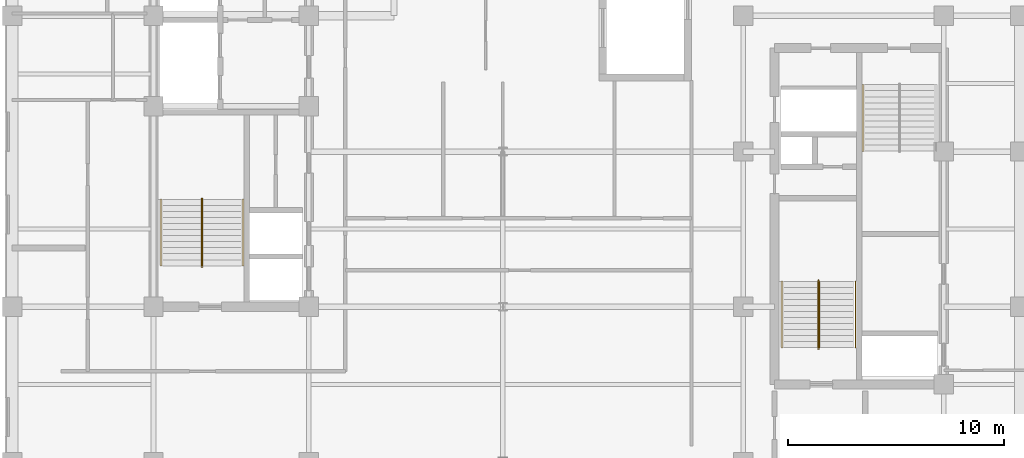
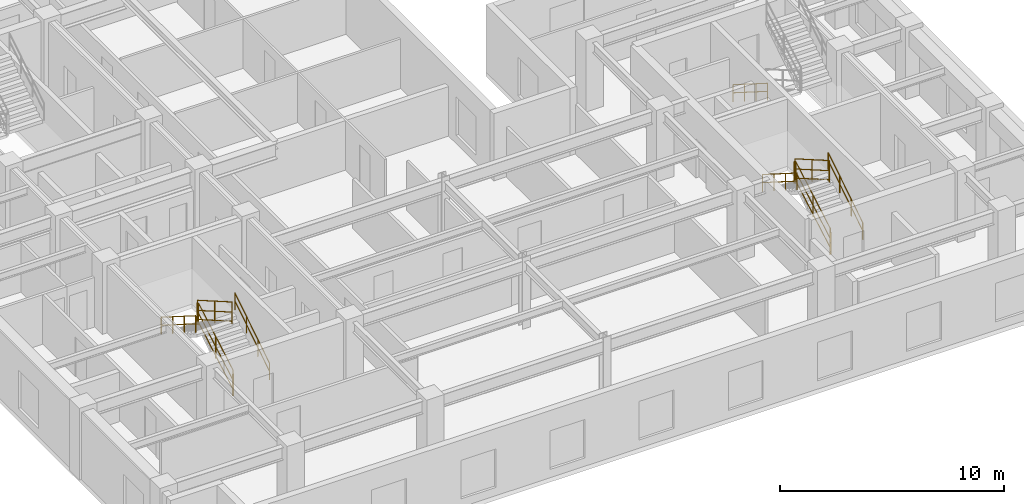
# One storey, part 8 of 10: 13 railings.
"""IFC4 building model written with IfcOpenShell, lengths in metres."""

from ifc_helpers import new_model, entity, si_unit, converted_unit, direction, frame, origin_with_axes, origin_2d_with_axis, place, context, subcontext, project, spatial, rectangle, circle, extrude, material, type_object, element, save


model = new_model("IFC4")

# Units and contexts
model_context = context("Model", 3, precision=1e-05, world=origin_with_axes(), true_north=direction((0.0, 1.0)))
body_context = subcontext(model_context, "Body", "Model", "MODEL_VIEW")
ifc_project = project(units=[si_unit("LENGTHUNIT", "METRE"), si_unit("AREAUNIT", "SQUARE_METRE"), si_unit("VOLUMEUNIT", "CUBIC_METRE"), converted_unit("PLANEANGLEUNIT", "DEGREE", entity("IfcPlaneAngleMeasure", 0.017453292519943295), si_unit("PLANEANGLEUNIT", "RADIAN"), dimensions=[0, 0, 0, 0, 0, 0, 0]), si_unit("MASSUNIT", "GRAM", prefix="KILO"), si_unit("THERMODYNAMICTEMPERATUREUNIT", "KELVIN")], contexts=[model_context])

# Site, building, storey
site_placement = place(None, origin_with_axes())
site = spatial("IfcSite", under=ifc_project, at=site_placement, CompositionType="ELEMENT")
building_placement = place(site_placement, origin_with_axes())
building = spatial("IfcBuilding", under=site, at=building_placement, Name="Varnlund Millrace Tower", CompositionType="ELEMENT")
storey_placement = place(building_placement, frame((0.0, 0.0, 240.3), z_axis=(0.0, 0.0, 1.0), x_axis=(1.0, 0.0, 0.0)))
storey = spatial("IfcBuildingStorey", under=building, at=storey_placement, Name="L59", CompositionType="ELEMENT", Elevation=240.3)

# Railings
ifc_material_1 = material(Name="Painted steel stair well balustrade guard", Category="steel")
railing_type_1 = type_object("IfcRailingType", Name="Type-StairGuard-1150", PredefinedType="GUARDRAIL", material=ifc_material_1)
railing_1_placement = place(storey_placement, frame((0.0, 0.0, -240.3), z_axis=(0.0, 0.0, 1.0), x_axis=(1.0, 0.0, 0.0)))
element("IfcRailing", 1, at=railing_1_placement, inside=storey, type_object=railing_type_1, Name="Type-StairGuard-1150", PredefinedType="GUARDRAIL", context=body_context, shape_type="SweptSolid", body=[
    extrude(circle(Radius=0.024, at=origin_2d_with_axis()), frame((13.675, 12.7, 241.627273), z_axis=(0.0, 0.866696, 0.498836), x_axis=(-1.0, 0.0, 0.0)), (0.0, 0.0, 1.0), 3.553725),
    extrude(circle(Radius=0.024, at=origin_2d_with_axis()), frame((13.675, 12.7, 240.577273), z_axis=(0.0, 0.866696, 0.498836), x_axis=(-1.0, 0.0, 0.0)), (0.0, 0.0, 1.0), 3.553725),
    extrude(circle(Radius=0.024, at=origin_2d_with_axis()), frame((13.675, 12.7, 241.075273), z_axis=(0.0, 0.866696, 0.498836), x_axis=(-1.0, 0.0, 0.0)), (0.0, 0.0, 1.0), 3.553725),
    extrude(rectangle(XDim=0.04, YDim=0.04, at=origin_2d_with_axis()), frame((13.675, 12.7, 240.437273), z_axis=(0.0, 0.0, 1.0), x_axis=(1.0, 0.0, 0.0)), (0.0, 0.0, 1.0), 1.19),
    extrude(rectangle(XDim=0.04, YDim=0.04, at=origin_2d_with_axis()), frame((13.675, 14.24, 241.323636), z_axis=(0.0, 0.0, 1.0), x_axis=(1.0, 0.0, 0.0)), (0.0, 0.0, 1.0), 1.19),
    extrude(rectangle(XDim=0.04, YDim=0.04, at=origin_2d_with_axis()), frame((13.675, 15.78, 242.21), z_axis=(0.0, 0.0, 1.0), x_axis=(1.0, 0.0, 0.0)), (0.0, 0.0, 1.0), 1.19),
])
railing_2_placement = place(storey_placement, frame((0.0, 0.0, -240.3), z_axis=(0.0, 0.0, 1.0), x_axis=(1.0, 0.0, 0.0)))
element("IfcRailing", 2, at=railing_2_placement, inside=storey, type_object=railing_type_1, Name="Type-StairGuard-1150", PredefinedType="GUARDRAIL", context=body_context, shape_type="SweptSolid", body=[
    extrude(circle(Radius=0.024, at=origin_2d_with_axis()), frame((13.625, 15.83, 243.4), z_axis=(1.0, 0.0, 0.0), x_axis=(0.0, 1.0, 0.0)), (0.0, 0.0, 1.0), 0.05),
    extrude(circle(Radius=0.024, at=origin_2d_with_axis()), frame((13.625, 15.83, 242.35), z_axis=(1.0, 0.0, 0.0), x_axis=(0.0, 1.0, 0.0)), (0.0, 0.0, 1.0), 0.05),
    extrude(circle(Radius=0.024, at=origin_2d_with_axis()), frame((13.625, 15.83, 242.848), z_axis=(1.0, 0.0, 0.0), x_axis=(0.0, 1.0, 0.0)), (0.0, 0.0, 1.0), 0.05),
    extrude(rectangle(XDim=0.04, YDim=0.04, at=origin_2d_with_axis()), frame((13.625, 15.83, 242.21), z_axis=(0.0, 0.0, 1.0), x_axis=(1.0, 0.0, 0.0)), (0.0, 0.0, 1.0), 1.19),
    extrude(rectangle(XDim=0.04, YDim=0.04, at=origin_2d_with_axis()), frame((13.675, 15.83, 242.21), z_axis=(0.0, 0.0, 1.0), x_axis=(1.0, 0.0, 0.0)), (0.0, 0.0, 1.0), 1.19),
])
railing_3_placement = place(storey_placement, frame((0.0, 0.0, -240.3), z_axis=(0.0, 0.0, 1.0), x_axis=(1.0, 0.0, 0.0)))
element("IfcRailing", 3, at=railing_3_placement, inside=storey, type_object=railing_type_1, Name="Type-StairGuard-1150", PredefinedType="GUARDRAIL", context=body_context, shape_type="SweptSolid", body=[
    extrude(circle(Radius=0.024, at=origin_2d_with_axis()), frame((13.625, 15.78, 243.577273), z_axis=(0.0, -0.866696, 0.498836), x_axis=(1.0, 0.0, 0.0)), (0.0, 0.0, 1.0), 3.553725),
    extrude(circle(Radius=0.024, at=origin_2d_with_axis()), frame((13.625, 15.78, 242.527273), z_axis=(0.0, -0.866696, 0.498836), x_axis=(1.0, 0.0, 0.0)), (0.0, 0.0, 1.0), 3.553725),
    extrude(circle(Radius=0.024, at=origin_2d_with_axis()), frame((13.625, 15.78, 243.025273), z_axis=(0.0, -0.866696, 0.498836), x_axis=(1.0, 0.0, 0.0)), (0.0, 0.0, 1.0), 3.553725),
    extrude(rectangle(XDim=0.04, YDim=0.04, at=origin_2d_with_axis()), frame((13.625, 15.78, 242.387273), z_axis=(0.0, 0.0, 1.0), x_axis=(1.0, 0.0, 0.0)), (0.0, 0.0, 1.0), 1.19),
    extrude(rectangle(XDim=0.04, YDim=0.04, at=origin_2d_with_axis()), frame((13.625, 14.24, 243.273637), z_axis=(0.0, 0.0, 1.0), x_axis=(1.0, 0.0, 0.0)), (0.0, 0.0, 1.0), 1.19),
    extrude(rectangle(XDim=0.04, YDim=0.04, at=origin_2d_with_axis()), frame((13.625, 12.7, 244.16), z_axis=(0.0, 0.0, 1.0), x_axis=(1.0, 0.0, 0.0)), (0.0, 0.0, 1.0), 1.19),
])
railing_4_placement = place(storey_placement, frame((0.0, 0.0, -240.3), z_axis=(0.0, 0.0, 1.0), x_axis=(1.0, 0.0, 0.0)))
element("IfcRailing", 4, at=railing_4_placement, inside=storey, type_object=railing_type_1, Name="Type-StairGuard-1150", PredefinedType="GUARDRAIL", context=body_context, shape_type="SweptSolid", body=[
    extrude(circle(Radius=0.024, at=origin_2d_with_axis()), frame((13.625, 12.65, 241.45), z_axis=(1.0, 0.0, 0.0), x_axis=(0.0, 1.0, 0.0)), (0.0, 0.0, 1.0), 0.05),
    extrude(circle(Radius=0.024, at=origin_2d_with_axis()), frame((13.625, 12.65, 240.4), z_axis=(1.0, 0.0, 0.0), x_axis=(0.0, 1.0, 0.0)), (0.0, 0.0, 1.0), 0.05),
    extrude(circle(Radius=0.024, at=origin_2d_with_axis()), frame((13.625, 12.65, 240.898), z_axis=(1.0, 0.0, 0.0), x_axis=(0.0, 1.0, 0.0)), (0.0, 0.0, 1.0), 0.05),
    extrude(rectangle(XDim=0.04, YDim=0.04, at=origin_2d_with_axis()), frame((13.625, 12.65, 240.26), z_axis=(0.0, 0.0, 1.0), x_axis=(1.0, 0.0, 0.0)), (0.0, 0.0, 1.0), 1.19),
    extrude(rectangle(XDim=0.04, YDim=0.04, at=origin_2d_with_axis()), frame((13.675, 12.65, 240.26), z_axis=(0.0, 0.0, 1.0), x_axis=(1.0, 0.0, 0.0)), (0.0, 0.0, 1.0), 1.19),
])
railing_5_placement = place(storey_placement, frame((0.0, 0.0, -240.3), z_axis=(0.0, 0.0, 1.0), x_axis=(1.0, 0.0, 0.0)))
element("IfcRailing", 5, at=railing_5_placement, inside=storey, type_object=railing_type_1, Name="Type-StairGuard-1150", PredefinedType="GUARDRAIL", context=body_context, shape_type="SweptSolid", body=[
    extrude(circle(Radius=0.024, at=origin_2d_with_axis()), frame((42.275, 8.9, 241.627273), z_axis=(0.0, 0.866696, 0.498836), x_axis=(-1.0, 0.0, 0.0)), (0.0, 0.0, 1.0), 3.553725),
    extrude(circle(Radius=0.024, at=origin_2d_with_axis()), frame((42.275, 8.9, 240.577273), z_axis=(0.0, 0.866696, 0.498836), x_axis=(-1.0, 0.0, 0.0)), (0.0, 0.0, 1.0), 3.553725),
    extrude(circle(Radius=0.024, at=origin_2d_with_axis()), frame((42.275, 8.9, 241.075273), z_axis=(0.0, 0.866696, 0.498836), x_axis=(-1.0, 0.0, 0.0)), (0.0, 0.0, 1.0), 3.553725),
    extrude(rectangle(XDim=0.04, YDim=0.04, at=origin_2d_with_axis()), frame((42.275, 8.9, 240.437273), z_axis=(0.0, 0.0, 1.0), x_axis=(1.0, 0.0, 0.0)), (0.0, 0.0, 1.0), 1.19),
    extrude(rectangle(XDim=0.04, YDim=0.04, at=origin_2d_with_axis()), frame((42.275, 10.44, 241.323636), z_axis=(0.0, 0.0, 1.0), x_axis=(1.0, 0.0, 0.0)), (0.0, 0.0, 1.0), 1.19),
    extrude(rectangle(XDim=0.04, YDim=0.04, at=origin_2d_with_axis()), frame((42.275, 11.98, 242.21), z_axis=(0.0, 0.0, 1.0), x_axis=(1.0, 0.0, 0.0)), (0.0, 0.0, 1.0), 1.19),
])
railing_6_placement = place(storey_placement, frame((0.0, 0.0, -240.3), z_axis=(0.0, 0.0, 1.0), x_axis=(1.0, 0.0, 0.0)))
element("IfcRailing", 6, at=railing_6_placement, inside=storey, type_object=railing_type_1, Name="Type-StairGuard-1150", PredefinedType="GUARDRAIL", context=body_context, shape_type="SweptSolid", body=[
    extrude(circle(Radius=0.024, at=origin_2d_with_axis()), frame((42.225, 12.03, 243.4), z_axis=(1.0, 0.0, 0.0), x_axis=(0.0, 1.0, 0.0)), (0.0, 0.0, 1.0), 0.05),
    extrude(circle(Radius=0.024, at=origin_2d_with_axis()), frame((42.225, 12.03, 242.35), z_axis=(1.0, 0.0, 0.0), x_axis=(0.0, 1.0, 0.0)), (0.0, 0.0, 1.0), 0.05),
    extrude(circle(Radius=0.024, at=origin_2d_with_axis()), frame((42.225, 12.03, 242.848), z_axis=(1.0, 0.0, 0.0), x_axis=(0.0, 1.0, 0.0)), (0.0, 0.0, 1.0), 0.05),
    extrude(rectangle(XDim=0.04, YDim=0.04, at=origin_2d_with_axis()), frame((42.225, 12.03, 242.21), z_axis=(0.0, 0.0, 1.0), x_axis=(1.0, 0.0, 0.0)), (0.0, 0.0, 1.0), 1.19),
    extrude(rectangle(XDim=0.04, YDim=0.04, at=origin_2d_with_axis()), frame((42.275, 12.03, 242.21), z_axis=(0.0, 0.0, 1.0), x_axis=(1.0, 0.0, 0.0)), (0.0, 0.0, 1.0), 1.19),
])
railing_7_placement = place(storey_placement, frame((0.0, 0.0, -240.3), z_axis=(0.0, 0.0, 1.0), x_axis=(1.0, 0.0, 0.0)))
element("IfcRailing", 7, at=railing_7_placement, inside=storey, type_object=railing_type_1, Name="Type-StairGuard-1150", PredefinedType="GUARDRAIL", context=body_context, shape_type="SweptSolid", body=[
    extrude(circle(Radius=0.024, at=origin_2d_with_axis()), frame((42.225, 11.98, 243.577273), z_axis=(0.0, -0.866696, 0.498836), x_axis=(1.0, 0.0, 0.0)), (0.0, 0.0, 1.0), 3.553725),
    extrude(circle(Radius=0.024, at=origin_2d_with_axis()), frame((42.225, 11.98, 242.527273), z_axis=(0.0, -0.866696, 0.498836), x_axis=(1.0, 0.0, 0.0)), (0.0, 0.0, 1.0), 3.553725),
    extrude(circle(Radius=0.024, at=origin_2d_with_axis()), frame((42.225, 11.98, 243.025273), z_axis=(0.0, -0.866696, 0.498836), x_axis=(1.0, 0.0, 0.0)), (0.0, 0.0, 1.0), 3.553725),
    extrude(rectangle(XDim=0.04, YDim=0.04, at=origin_2d_with_axis()), frame((42.225, 11.98, 242.387273), z_axis=(0.0, 0.0, 1.0), x_axis=(1.0, 0.0, 0.0)), (0.0, 0.0, 1.0), 1.19),
    extrude(rectangle(XDim=0.04, YDim=0.04, at=origin_2d_with_axis()), frame((42.225, 10.44, 243.273637), z_axis=(0.0, 0.0, 1.0), x_axis=(1.0, 0.0, 0.0)), (0.0, 0.0, 1.0), 1.19),
    extrude(rectangle(XDim=0.04, YDim=0.04, at=origin_2d_with_axis()), frame((42.225, 8.9, 244.16), z_axis=(0.0, 0.0, 1.0), x_axis=(1.0, 0.0, 0.0)), (0.0, 0.0, 1.0), 1.19),
])
railing_8_placement = place(storey_placement, frame((0.0, 0.0, -240.3), z_axis=(0.0, 0.0, 1.0), x_axis=(1.0, 0.0, 0.0)))
element("IfcRailing", 8, at=railing_8_placement, inside=storey, type_object=railing_type_1, Name="Type-StairGuard-1150", PredefinedType="GUARDRAIL", context=body_context, shape_type="SweptSolid", body=[
    extrude(circle(Radius=0.024, at=origin_2d_with_axis()), frame((42.225, 8.85, 241.45), z_axis=(1.0, 0.0, 0.0), x_axis=(0.0, 1.0, 0.0)), (0.0, 0.0, 1.0), 0.05),
    extrude(circle(Radius=0.024, at=origin_2d_with_axis()), frame((42.225, 8.85, 240.4), z_axis=(1.0, 0.0, 0.0), x_axis=(0.0, 1.0, 0.0)), (0.0, 0.0, 1.0), 0.05),
    extrude(circle(Radius=0.024, at=origin_2d_with_axis()), frame((42.225, 8.85, 240.898), z_axis=(1.0, 0.0, 0.0), x_axis=(0.0, 1.0, 0.0)), (0.0, 0.0, 1.0), 0.05),
    extrude(rectangle(XDim=0.04, YDim=0.04, at=origin_2d_with_axis()), frame((42.225, 8.85, 240.26), z_axis=(0.0, 0.0, 1.0), x_axis=(1.0, 0.0, 0.0)), (0.0, 0.0, 1.0), 1.19),
    extrude(rectangle(XDim=0.04, YDim=0.04, at=origin_2d_with_axis()), frame((42.275, 8.85, 240.26), z_axis=(0.0, 0.0, 1.0), x_axis=(1.0, 0.0, 0.0)), (0.0, 0.0, 1.0), 1.19),
])
ifc_material_2 = material(Name="Brushed architectural bronze stair handrail", Category="aluminium")
railing_type_2 = type_object("IfcRailingType", Name="Type-StairHandrail-900", PredefinedType="HANDRAIL", material=ifc_material_2)
railing_9_placement = place(storey_placement, frame((0.0, 0.0, -240.3), z_axis=(0.0, 0.0, 1.0), x_axis=(1.0, 0.0, 0.0)))
element("IfcRailing", 9, at=railing_9_placement, inside=storey, type_object=railing_type_2, Name="Type-StairHandrail-900", PredefinedType="HANDRAIL", context=body_context, shape_type="SweptSolid", body=[
    extrude(circle(Radius=0.024, at=origin_2d_with_axis()), frame((15.55, 12.7, 241.356995), z_axis=(0.0, 0.844902, 0.534922), x_axis=(-1.0, 0.0, 0.0)), (0.0, 0.0, 1.0), 3.645394),
    extrude(circle(Radius=0.024, at=origin_2d_with_axis()), frame((15.55, 12.7, 240.917134), z_axis=(0.0, 0.844902, 0.534922), x_axis=(-1.0, 0.0, 0.0)), (0.0, 0.0, 1.0), 3.645394),
    extrude(rectangle(XDim=0.04, YDim=0.04, at=origin_2d_with_axis()), frame((15.55, 12.7, 240.437273), z_axis=(0.0, 0.0, 1.0), x_axis=(1.0, 0.0, 0.0)), (0.0, 0.0, 1.0), 0.919722),
    extrude(rectangle(XDim=0.04, YDim=0.04, at=origin_2d_with_axis()), frame((15.55, 13.726667, 241.087273), z_axis=(0.0, 0.0, 1.0), x_axis=(1.0, 0.0, 0.0)), (0.0, 0.0, 1.0), 0.919722),
    extrude(rectangle(XDim=0.04, YDim=0.04, at=origin_2d_with_axis()), frame((15.55, 14.753333, 241.737273), z_axis=(0.0, 0.0, 1.0), x_axis=(1.0, 0.0, 0.0)), (0.0, 0.0, 1.0), 0.919722),
    extrude(rectangle(XDim=0.04, YDim=0.04, at=origin_2d_with_axis()), frame((15.55, 15.78, 242.387273), z_axis=(0.0, 0.0, 1.0), x_axis=(1.0, 0.0, 0.0)), (0.0, 0.0, 1.0), 0.919722),
])
railing_10_placement = place(storey_placement, frame((0.0, 0.0, -240.3), z_axis=(0.0, 0.0, 1.0), x_axis=(1.0, 0.0, 0.0)))
element("IfcRailing", 10, at=railing_10_placement, inside=storey, type_object=railing_type_2, Name="Type-StairHandrail-900", PredefinedType="HANDRAIL", context=body_context, shape_type="SweptSolid", body=[
    extrude(circle(Radius=0.024, at=origin_2d_with_axis()), frame((11.75, 15.78, 243.306995), z_axis=(0.0, -0.844902, 0.534922), x_axis=(1.0, 0.0, 0.0)), (0.0, 0.0, 1.0), 3.645394),
    extrude(circle(Radius=0.024, at=origin_2d_with_axis()), frame((11.75, 15.78, 242.867134), z_axis=(0.0, -0.844902, 0.534922), x_axis=(1.0, 0.0, 0.0)), (0.0, 0.0, 1.0), 3.645394),
    extrude(rectangle(XDim=0.04, YDim=0.04, at=origin_2d_with_axis()), frame((11.75, 15.78, 242.387273), z_axis=(0.0, 0.0, 1.0), x_axis=(1.0, 0.0, 0.0)), (0.0, 0.0, 1.0), 0.919722),
    extrude(rectangle(XDim=0.04, YDim=0.04, at=origin_2d_with_axis()), frame((11.75, 14.753333, 243.037273), z_axis=(0.0, 0.0, 1.0), x_axis=(1.0, 0.0, 0.0)), (0.0, 0.0, 1.0), 0.919722),
    extrude(rectangle(XDim=0.04, YDim=0.04, at=origin_2d_with_axis()), frame((11.75, 13.726667, 243.687273), z_axis=(0.0, 0.0, 1.0), x_axis=(1.0, 0.0, 0.0)), (0.0, 0.0, 1.0), 0.919722),
    extrude(rectangle(XDim=0.04, YDim=0.04, at=origin_2d_with_axis()), frame((11.75, 12.7, 244.337273), z_axis=(0.0, 0.0, 1.0), x_axis=(1.0, 0.0, 0.0)), (0.0, 0.0, 1.0), 0.919722),
])
railing_11_placement = place(storey_placement, frame((0.0, 0.0, -240.3), z_axis=(0.0, 0.0, 1.0), x_axis=(1.0, 0.0, 0.0)))
element("IfcRailing", 11, at=railing_11_placement, inside=storey, type_object=railing_type_2, Name="Type-StairHandrail-900", PredefinedType="HANDRAIL", context=body_context, shape_type="SweptSolid", body=[
    extrude(circle(Radius=0.024, at=origin_2d_with_axis()), frame((43.95, 8.9, 241.356995), z_axis=(0.0, 0.844902, 0.534922), x_axis=(-1.0, 0.0, 0.0)), (0.0, 0.0, 1.0), 3.645394),
    extrude(circle(Radius=0.024, at=origin_2d_with_axis()), frame((43.95, 8.9, 240.917134), z_axis=(0.0, 0.844902, 0.534922), x_axis=(-1.0, 0.0, 0.0)), (0.0, 0.0, 1.0), 3.645394),
    extrude(rectangle(XDim=0.04, YDim=0.04, at=origin_2d_with_axis()), frame((43.95, 8.9, 240.437273), z_axis=(0.0, 0.0, 1.0), x_axis=(1.0, 0.0, 0.0)), (0.0, 0.0, 1.0), 0.919722),
    extrude(rectangle(XDim=0.04, YDim=0.04, at=origin_2d_with_axis()), frame((43.95, 9.926667, 241.087273), z_axis=(0.0, 0.0, 1.0), x_axis=(1.0, 0.0, 0.0)), (0.0, 0.0, 1.0), 0.919722),
    extrude(rectangle(XDim=0.04, YDim=0.04, at=origin_2d_with_axis()), frame((43.95, 10.953333, 241.737273), z_axis=(0.0, 0.0, 1.0), x_axis=(1.0, 0.0, 0.0)), (0.0, 0.0, 1.0), 0.919722),
    extrude(rectangle(XDim=0.04, YDim=0.04, at=origin_2d_with_axis()), frame((43.95, 11.98, 242.387273), z_axis=(0.0, 0.0, 1.0), x_axis=(1.0, 0.0, 0.0)), (0.0, 0.0, 1.0), 0.919722),
])
railing_12_placement = place(storey_placement, frame((0.0, 0.0, -240.3), z_axis=(0.0, 0.0, 1.0), x_axis=(1.0, 0.0, 0.0)))
element("IfcRailing", 12, at=railing_12_placement, inside=storey, type_object=railing_type_2, Name="Type-StairHandrail-900", PredefinedType="HANDRAIL", context=body_context, shape_type="SweptSolid", body=[
    extrude(circle(Radius=0.024, at=origin_2d_with_axis()), frame((40.55, 11.98, 243.306995), z_axis=(0.0, -0.844902, 0.534922), x_axis=(1.0, 0.0, 0.0)), (0.0, 0.0, 1.0), 3.645394),
    extrude(circle(Radius=0.024, at=origin_2d_with_axis()), frame((40.55, 11.98, 242.867134), z_axis=(0.0, -0.844902, 0.534922), x_axis=(1.0, 0.0, 0.0)), (0.0, 0.0, 1.0), 3.645394),
    extrude(rectangle(XDim=0.04, YDim=0.04, at=origin_2d_with_axis()), frame((40.55, 11.98, 242.387273), z_axis=(0.0, 0.0, 1.0), x_axis=(1.0, 0.0, 0.0)), (0.0, 0.0, 1.0), 0.919722),
    extrude(rectangle(XDim=0.04, YDim=0.04, at=origin_2d_with_axis()), frame((40.55, 10.953333, 243.037273), z_axis=(0.0, 0.0, 1.0), x_axis=(1.0, 0.0, 0.0)), (0.0, 0.0, 1.0), 0.919722),
    extrude(rectangle(XDim=0.04, YDim=0.04, at=origin_2d_with_axis()), frame((40.55, 9.926667, 243.687273), z_axis=(0.0, 0.0, 1.0), x_axis=(1.0, 0.0, 0.0)), (0.0, 0.0, 1.0), 0.919722),
    extrude(rectangle(XDim=0.04, YDim=0.04, at=origin_2d_with_axis()), frame((40.55, 8.9, 244.337273), z_axis=(0.0, 0.0, 1.0), x_axis=(1.0, 0.0, 0.0)), (0.0, 0.0, 1.0), 0.919722),
])
railing_13_placement = place(storey_placement, frame((0.0, 0.0, -240.3), z_axis=(0.0, 0.0, 1.0), x_axis=(1.0, 0.0, 0.0)))
element("IfcRailing", 13, at=railing_13_placement, inside=storey, type_object=railing_type_2, Name="Type-StairHandrail-900", PredefinedType="HANDRAIL", context=body_context, shape_type="SweptSolid", body=[
    extrude(circle(Radius=0.024, at=origin_2d_with_axis()), frame((44.3, 21.1, 241.356995), z_axis=(0.0, -0.844902, 0.534922), x_axis=(1.0, 0.0, 0.0)), (0.0, 0.0, 1.0), 3.645394),
    extrude(circle(Radius=0.024, at=origin_2d_with_axis()), frame((44.3, 21.1, 240.917134), z_axis=(0.0, -0.844902, 0.534922), x_axis=(1.0, 0.0, 0.0)), (0.0, 0.0, 1.0), 3.645394),
    extrude(rectangle(XDim=0.04, YDim=0.04, at=origin_2d_with_axis()), frame((44.3, 21.1, 240.437273), z_axis=(0.0, 0.0, 1.0), x_axis=(1.0, 0.0, 0.0)), (0.0, 0.0, 1.0), 0.919722),
    extrude(rectangle(XDim=0.04, YDim=0.04, at=origin_2d_with_axis()), frame((44.3, 20.073333, 241.087273), z_axis=(0.0, 0.0, 1.0), x_axis=(1.0, 0.0, 0.0)), (0.0, 0.0, 1.0), 0.919722),
    extrude(rectangle(XDim=0.04, YDim=0.04, at=origin_2d_with_axis()), frame((44.3, 19.046667, 241.737273), z_axis=(0.0, 0.0, 1.0), x_axis=(1.0, 0.0, 0.0)), (0.0, 0.0, 1.0), 0.919722),
    extrude(rectangle(XDim=0.04, YDim=0.04, at=origin_2d_with_axis()), frame((44.3, 18.02, 242.387273), z_axis=(0.0, 0.0, 1.0), x_axis=(1.0, 0.0, 0.0)), (0.0, 0.0, 1.0), 0.919722),
])

save(model, "model.ifc")
